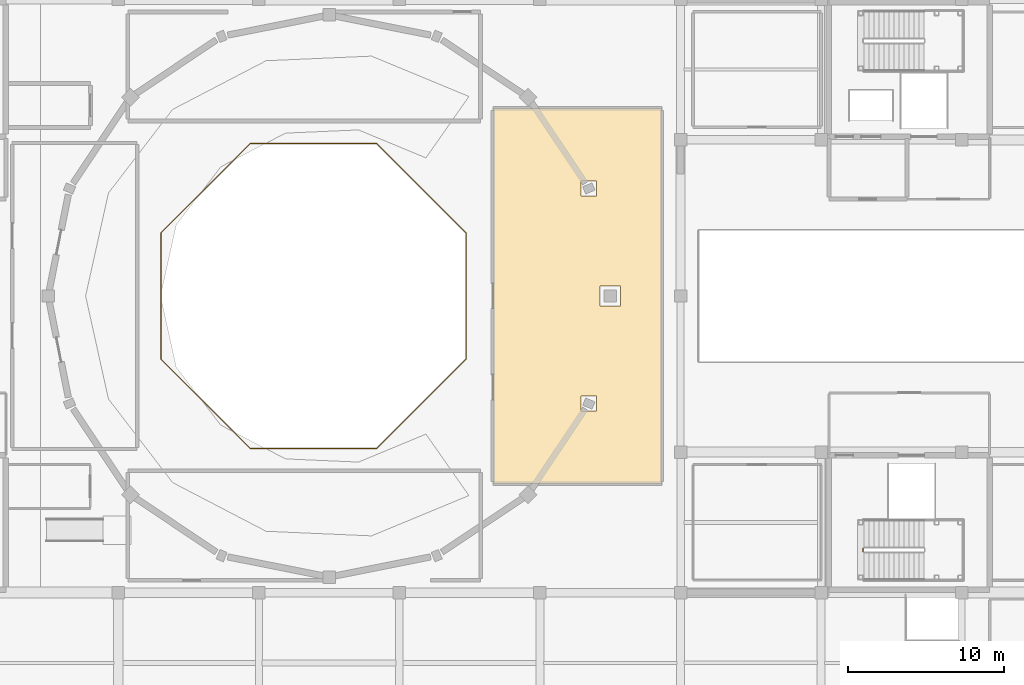
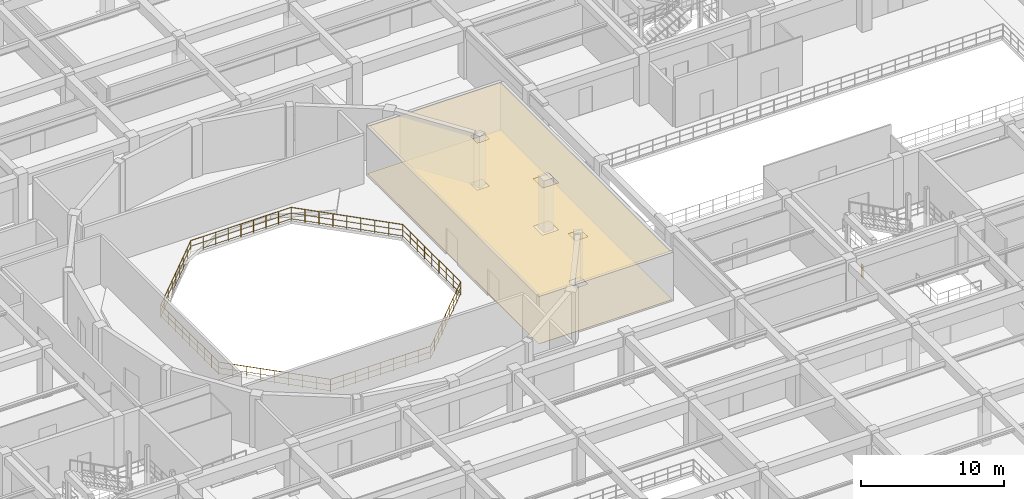
# One storey, part 125 of 133: 2 coverings, 2 railings.
"""IFC4 building model written with IfcOpenShell, lengths in metres."""

from ifc_helpers import new_model, si_unit, direction, frame, origin, origin_2d, place, context, subcontext, project, spatial, polyline, circle, outline, extrude, material, layer, layer_set, type_object, element, save


model = new_model("IFC4")

# Units and contexts
model_context = context("Model", 3, precision=1e-05, world=origin(), true_north=direction((0.0, 1.0)))
body_context = subcontext(model_context, "Body", "Model", "MODEL_VIEW")
ifc_project = project(units=[si_unit("LENGTHUNIT", "METRE"), si_unit("AREAUNIT", "SQUARE_METRE"), si_unit("VOLUMEUNIT", "CUBIC_METRE"), si_unit("PLANEANGLEUNIT", "RADIAN"), si_unit("MASSUNIT", "GRAM", prefix="KILO")], contexts=[model_context])

# Site, building, storey
site_placement = place(None, origin())
site = spatial("IfcSite", under=ifc_project, at=site_placement, CompositionType="ELEMENT")
building_placement = place(site_placement, origin())
building = spatial("IfcBuilding", under=site, at=building_placement, Name="Miravela Opera House", CompositionType="ELEMENT")
storey_placement = place(building_placement, frame((0.0, 0.0, 5.10009765625)))
storey = spatial("IfcBuildingStorey", under=building, at=storey_placement, Name="L01", CompositionType="ELEMENT", Elevation=5.10009765625)

# Coverings
ifc_material_1 = material(Name="Suspended acoustic gypsum board ceiling")
ifc_layer_1 = layer(ifc_material_1, 0.02392578125)
ifc_layer_set_1 = layer_set([ifc_layer_1])
covering_type_1 = type_object("IfcCoveringType", Name="ARC-CEIL-GYPSUM-24", PredefinedType="CEILING", material=ifc_layer_set_1)
covering_1_placement = place(storey_placement, frame((0.0, 0.0, 4.039794921875)))
element("IfcCovering", 1, at=covering_1_placement, inside=storey, type_object=covering_type_1, Name="Opera Auditorium Box Tier Acoustic Ceiling", PredefinedType="CEILING", context=body_context, shape_type="SweptSolid", body=[
    extrude(outline(polyline([(87.0, 44.0), (97.800048828125, 44.0), (97.800048828125, 68.0), (87.0, 68.0), (87.0, 44.0)]), holes=[polyline([(93.854248046875, 55.354248046875), (95.145751953125, 55.354248046875), (95.145751953125, 56.645751953125), (93.854248046875, 56.645751953125), (93.854248046875, 55.354248046875)]), polyline([(92.639892578125, 62.398193359375), (93.619873046875, 62.398193359375), (93.619873046875, 63.37841796875), (92.639892578125, 63.37841796875), (92.639892578125, 62.398193359375)]), polyline([(92.639892578125, 48.62158203125), (93.619873046875, 48.62158203125), (93.619873046875, 49.601806640625), (92.639892578125, 49.601806640625), (92.639892578125, 48.62158203125)])]), origin(), (0.0, 0.0, 1.0), 0.024169921875),
])
ifc_material_2 = material(Name="Honed Guatemalan limestone foyer flooring", Category="masonry")
ifc_layer_2 = layer(ifc_material_2, 0.02587890625)
ifc_layer_set_2 = layer_set([ifc_layer_2])
covering_type_2 = type_object("IfcCoveringType", Name="ARC-FLR-TRAVERTINE-26", PredefinedType="FLOORING", material=ifc_layer_set_2)
covering_2_placement = place(storey_placement, origin())
element("IfcCovering", 2, at=covering_2_placement, inside=storey, type_object=covering_type_2, Name="Opera Auditorium Box Tier Finish Flooring", PredefinedType="FLOORING", context=body_context, shape_type="SweptSolid", body=[
    extrude(outline(polyline([(87.0, 44.0), (97.800048828125, 44.0), (97.800048828125, 68.0), (87.0, 68.0), (87.0, 44.0)]), holes=[polyline([(93.854248046875, 55.354248046875), (95.145751953125, 55.354248046875), (95.145751953125, 56.645751953125), (93.854248046875, 56.645751953125), (93.854248046875, 55.354248046875)]), polyline([(92.639892578125, 62.398193359375), (93.619873046875, 62.398193359375), (93.619873046875, 63.37841796875), (92.639892578125, 63.37841796875), (92.639892578125, 62.398193359375)]), polyline([(92.639892578125, 48.62158203125), (93.619873046875, 48.62158203125), (93.619873046875, 49.601806640625), (92.639892578125, 49.601806640625), (92.639892578125, 48.62158203125)])]), origin(), (0.0, 0.0, 1.0), 0.02587890625),
])

# Railings
ifc_material_3 = material(Name="Gilded bronze auditorium tier balustrade")
railing_type_1 = type_object("IfcRailingType", Name="ARC-RAIL-BOWL-BAL", PredefinedType="BALUSTRADE", material=ifc_material_3)
railing_1_placement = place(storey_placement, frame((85.274658203125, 60.048828125, 0.0)))
element("IfcRailing", 3, at=railing_1_placement, inside=storey, type_object=railing_type_1, Name="L01 Void Perimeter Balustrade 0154", PredefinedType="BALUSTRADE", context=body_context, shape_type="SweptSolid", body=[
    extrude(circle(Radius=0.02490234375, at=origin_2d()), frame((0.0, 0.0, 1.09521484375), z_axis=(-0.707106781187, 0.707106781187, 0.0), x_axis=(-0.707106781187, -0.707106781187, 0.0)), (0.0, 0.0, 1.0), 8.09765625),
    extrude(circle(Radius=0.01611328125, at=origin_2d()), frame((0.0, 0.0, 0.615966796875), z_axis=(-0.707106781187, 0.707106781187, 0.0), x_axis=(-0.707106781187, -0.707106781187, 0.0)), (0.0, 0.0, 1.0), 8.09765625),
    extrude(circle(Radius=0.01611328125, at=origin_2d()), frame((0.0, 0.0, 0.1201171875), z_axis=(-0.707106781187, 0.707106781187, 0.0), x_axis=(-0.707106781187, -0.707106781187, 0.0)), (0.0, 0.0, 1.0), 8.09765625),
    extrude(circle(Radius=0.02490234375, at=origin_2d()), frame((-5.725830078125, 5.725830078125, 1.09521484375), z_axis=(-1.0, 0.0, 0.0), x_axis=(0.0, -1.0, 0.0)), (0.0, 0.0, 1.0), 8.09765625),
    extrude(circle(Radius=0.01611328125, at=origin_2d()), frame((-5.725830078125, 5.725830078125, 0.615966796875), z_axis=(-1.0, 0.0, 0.0), x_axis=(0.0, -1.0, 0.0)), (0.0, 0.0, 1.0), 8.09765625),
    extrude(circle(Radius=0.01611328125, at=origin_2d()), frame((-5.725830078125, 5.725830078125, 0.1201171875), z_axis=(-1.0, 0.0, 0.0), x_axis=(0.0, -1.0, 0.0)), (0.0, 0.0, 1.0), 8.09765625),
    extrude(circle(Radius=0.02490234375, at=origin_2d()), frame((-13.823486328125, 5.725830078125, 1.09521484375), z_axis=(-0.707106781187, -0.707106781187, 0.0), x_axis=(0.707106781187, -0.707106781187, 0.0)), (0.0, 0.0, 1.0), 8.09765625),
    extrude(circle(Radius=0.01611328125, at=origin_2d()), frame((-13.823486328125, 5.725830078125, 0.615966796875), z_axis=(-0.707106781187, -0.707106781187, 0.0), x_axis=(0.707106781187, -0.707106781187, 0.0)), (0.0, 0.0, 1.0), 8.09765625),
    extrude(circle(Radius=0.01611328125, at=origin_2d()), frame((-13.823486328125, 5.725830078125, 0.1201171875), z_axis=(-0.707106781187, -0.707106781187, 0.0), x_axis=(0.707106781187, -0.707106781187, 0.0)), (0.0, 0.0, 1.0), 8.09765625),
    extrude(circle(Radius=0.02490234375, at=origin_2d()), frame((-19.54931640625, 0.0, 1.09521484375), z_axis=(0.0, -1.0, 0.0), x_axis=(1.0, 0.0, 0.0)), (0.0, 0.0, 1.0), 8.09765625),
    extrude(circle(Radius=0.01611328125, at=origin_2d()), frame((-19.54931640625, 0.0, 0.615966796875), z_axis=(0.0, -1.0, 0.0), x_axis=(1.0, 0.0, 0.0)), (0.0, 0.0, 1.0), 8.09765625),
    extrude(circle(Radius=0.01611328125, at=origin_2d()), frame((-19.54931640625, 0.0, 0.1201171875), z_axis=(0.0, -1.0, 0.0), x_axis=(1.0, 0.0, 0.0)), (0.0, 0.0, 1.0), 8.09765625),
    extrude(circle(Radius=0.02490234375, at=origin_2d()), frame((-19.54931640625, -8.09765625, 1.09521484375), z_axis=(0.707106781187, -0.707106781187, 0.0), x_axis=(0.707106781187, 0.707106781187, 0.0)), (0.0, 0.0, 1.0), 8.09765625),
    extrude(circle(Radius=0.01611328125, at=origin_2d()), frame((-19.54931640625, -8.09765625, 0.615966796875), z_axis=(0.707106781187, -0.707106781187, 0.0), x_axis=(0.707106781187, 0.707106781187, 0.0)), (0.0, 0.0, 1.0), 8.09765625),
    extrude(circle(Radius=0.01611328125, at=origin_2d()), frame((-19.54931640625, -8.09765625, 0.1201171875), z_axis=(0.707106781187, -0.707106781187, 0.0), x_axis=(0.707106781187, 0.707106781187, 0.0)), (0.0, 0.0, 1.0), 8.09765625),
    extrude(circle(Radius=0.02490234375, at=origin_2d()), frame((-13.823486328125, -13.823486328125, 1.09521484375), z_axis=(1.0, 0.0, 0.0), x_axis=(0.0, 1.0, 0.0)), (0.0, 0.0, 1.0), 8.09765625),
    extrude(circle(Radius=0.01611328125, at=origin_2d()), frame((-13.823486328125, -13.823486328125, 0.615966796875), z_axis=(1.0, 0.0, 0.0), x_axis=(0.0, 1.0, 0.0)), (0.0, 0.0, 1.0), 8.09765625),
    extrude(circle(Radius=0.01611328125, at=origin_2d()), frame((-13.823486328125, -13.823486328125, 0.1201171875), z_axis=(1.0, 0.0, 0.0), x_axis=(0.0, 1.0, 0.0)), (0.0, 0.0, 1.0), 8.09765625),
    extrude(circle(Radius=0.02490234375, at=origin_2d()), frame((-5.725830078125, -13.823486328125, 1.09521484375), z_axis=(0.707106781187, 0.707106781187, 0.0), x_axis=(-0.707106781187, 0.707106781187, 0.0)), (0.0, 0.0, 1.0), 8.09765625),
    extrude(circle(Radius=0.01611328125, at=origin_2d()), frame((-5.725830078125, -13.823486328125, 0.615966796875), z_axis=(0.707106781187, 0.707106781187, 0.0), x_axis=(-0.707106781187, 0.707106781187, 0.0)), (0.0, 0.0, 1.0), 8.09765625),
    extrude(circle(Radius=0.01611328125, at=origin_2d()), frame((-5.725830078125, -13.823486328125, 0.1201171875), z_axis=(0.707106781187, 0.707106781187, 0.0), x_axis=(-0.707106781187, 0.707106781187, 0.0)), (0.0, 0.0, 1.0), 8.09765625),
    extrude(circle(Radius=0.02490234375, at=origin_2d()), frame((0.0, -8.09765625, 1.09521484375), z_axis=(0.0, 1.0, 0.0), x_axis=(-1.0, 0.0, 0.0)), (0.0, 0.0, 1.0), 8.09765625),
    extrude(circle(Radius=0.01611328125, at=origin_2d()), frame((0.0, -8.09765625, 0.615966796875), z_axis=(0.0, 1.0, 0.0), x_axis=(-1.0, 0.0, 0.0)), (0.0, 0.0, 1.0), 8.09765625),
    extrude(circle(Radius=0.01611328125, at=origin_2d()), frame((0.0, -8.09765625, 0.1201171875), z_axis=(0.0, 1.0, 0.0), x_axis=(-1.0, 0.0, 0.0)), (0.0, 0.0, 1.0), 8.09765625),
    extrude(circle(Radius=0.02099609375, at=origin_2d()), origin(), (0.0, 0.0, 1.0), 1.070068359375),
    extrude(circle(Radius=0.02099609375, at=origin_2d()), frame((-0.7158203125, 0.7158203125, 0.0)), (0.0, 0.0, 1.0), 1.070068359375),
    extrude(circle(Radius=0.02099609375, at=origin_2d()), frame((-1.431396484375, 1.431396484375, 0.0)), (0.0, 0.0, 1.0), 1.070068359375),
    extrude(circle(Radius=0.02099609375, at=origin_2d()), frame((-2.147216796875, 2.147216796875, 0.0)), (0.0, 0.0, 1.0), 1.070068359375),
    extrude(circle(Radius=0.02099609375, at=origin_2d()), frame((-2.86279296875, 2.86279296875, 0.0)), (0.0, 0.0, 1.0), 1.070068359375),
    extrude(circle(Radius=0.02099609375, at=origin_2d()), frame((-3.57861328125, 3.57861328125, 0.0)), (0.0, 0.0, 1.0), 1.070068359375),
    extrude(circle(Radius=0.02099609375, at=origin_2d()), frame((-4.29443359375, 4.29443359375, 0.0)), (0.0, 0.0, 1.0), 1.070068359375),
    extrude(circle(Radius=0.02099609375, at=origin_2d()), frame((-5.010009765625, 5.010009765625, 0.0)), (0.0, 0.0, 1.0), 1.070068359375),
    extrude(circle(Radius=0.02099609375, at=origin_2d()), frame((-5.725830078125, 5.725830078125, 0.0)), (0.0, 0.0, 1.0), 1.070068359375),
    extrude(circle(Radius=0.02099609375, at=origin_2d()), frame((-6.738037109375, 5.725830078125, 0.0)), (0.0, 0.0, 1.0), 1.070068359375),
    extrude(circle(Radius=0.02099609375, at=origin_2d()), frame((-7.750244140625, 5.725830078125, 0.0)), (0.0, 0.0, 1.0), 1.070068359375),
    extrude(circle(Radius=0.02099609375, at=origin_2d()), frame((-8.762451171875, 5.725830078125, 0.0)), (0.0, 0.0, 1.0), 1.070068359375),
    extrude(circle(Radius=0.02099609375, at=origin_2d()), frame((-9.774658203125, 5.725830078125, 0.0)), (0.0, 0.0, 1.0), 1.070068359375),
    extrude(circle(Radius=0.02099609375, at=origin_2d()), frame((-10.786865234375, 5.725830078125, 0.0)), (0.0, 0.0, 1.0), 1.070068359375),
    extrude(circle(Radius=0.02099609375, at=origin_2d()), frame((-11.799072265625, 5.725830078125, 0.0)), (0.0, 0.0, 1.0), 1.070068359375),
    extrude(circle(Radius=0.02099609375, at=origin_2d()), frame((-12.811279296875, 5.725830078125, 0.0)), (0.0, 0.0, 1.0), 1.070068359375),
    extrude(circle(Radius=0.02099609375, at=origin_2d()), frame((-13.823486328125, 5.725830078125, 0.0)), (0.0, 0.0, 1.0), 1.070068359375),
    extrude(circle(Radius=0.02099609375, at=origin_2d()), frame((-14.539306640625, 5.010009765625, 0.0)), (0.0, 0.0, 1.0), 1.070068359375),
    extrude(circle(Radius=0.02099609375, at=origin_2d()), frame((-15.2548828125, 4.29443359375, 0.0)), (0.0, 0.0, 1.0), 1.070068359375),
    extrude(circle(Radius=0.02099609375, at=origin_2d()), frame((-15.970703125, 3.57861328125, 0.0)), (0.0, 0.0, 1.0), 1.070068359375),
    extrude(circle(Radius=0.02099609375, at=origin_2d()), frame((-16.6865234375, 2.86279296875, 0.0)), (0.0, 0.0, 1.0), 1.070068359375),
    extrude(circle(Radius=0.02099609375, at=origin_2d()), frame((-17.402099609375, 2.147216796875, 0.0)), (0.0, 0.0, 1.0), 1.070068359375),
    extrude(circle(Radius=0.02099609375, at=origin_2d()), frame((-18.117919921875, 1.431396484375, 0.0)), (0.0, 0.0, 1.0), 1.070068359375),
    extrude(circle(Radius=0.02099609375, at=origin_2d()), frame((-18.83349609375, 0.7158203125, 0.0)), (0.0, 0.0, 1.0), 1.070068359375),
    extrude(circle(Radius=0.02099609375, at=origin_2d()), frame((-19.54931640625, 0.0, 0.0)), (0.0, 0.0, 1.0), 1.070068359375),
    extrude(circle(Radius=0.02099609375, at=origin_2d()), frame((-19.54931640625, -1.01220703125, 0.0)), (0.0, 0.0, 1.0), 1.070068359375),
    extrude(circle(Radius=0.02099609375, at=origin_2d()), frame((-19.54931640625, -2.0244140625, 0.0)), (0.0, 0.0, 1.0), 1.070068359375),
    extrude(circle(Radius=0.02099609375, at=origin_2d()), frame((-19.54931640625, -3.03662109375, 0.0)), (0.0, 0.0, 1.0), 1.070068359375),
    extrude(circle(Radius=0.02099609375, at=origin_2d()), frame((-19.54931640625, -4.048828125, 0.0)), (0.0, 0.0, 1.0), 1.070068359375),
    extrude(circle(Radius=0.02099609375, at=origin_2d()), frame((-19.54931640625, -5.06103515625, 0.0)), (0.0, 0.0, 1.0), 1.070068359375),
    extrude(circle(Radius=0.02099609375, at=origin_2d()), frame((-19.54931640625, -6.0732421875, 0.0)), (0.0, 0.0, 1.0), 1.070068359375),
    extrude(circle(Radius=0.02099609375, at=origin_2d()), frame((-19.54931640625, -7.08544921875, 0.0)), (0.0, 0.0, 1.0), 1.070068359375),
    extrude(circle(Radius=0.02099609375, at=origin_2d()), frame((-19.54931640625, -8.09765625, 0.0)), (0.0, 0.0, 1.0), 1.070068359375),
    extrude(circle(Radius=0.02099609375, at=origin_2d()), frame((-18.83349609375, -8.8134765625, 0.0)), (0.0, 0.0, 1.0), 1.070068359375),
    extrude(circle(Radius=0.02099609375, at=origin_2d()), frame((-18.117919921875, -9.529052734375, 0.0)), (0.0, 0.0, 1.0), 1.070068359375),
    extrude(circle(Radius=0.02099609375, at=origin_2d()), frame((-17.402099609375, -10.244873046875, 0.0)), (0.0, 0.0, 1.0), 1.070068359375),
    extrude(circle(Radius=0.02099609375, at=origin_2d()), frame((-16.6865234375, -10.96044921875, 0.0)), (0.0, 0.0, 1.0), 1.070068359375),
    extrude(circle(Radius=0.02099609375, at=origin_2d()), frame((-15.970703125, -11.67626953125, 0.0)), (0.0, 0.0, 1.0), 1.070068359375),
    extrude(circle(Radius=0.02099609375, at=origin_2d()), frame((-15.2548828125, -12.39208984375, 0.0)), (0.0, 0.0, 1.0), 1.070068359375),
    extrude(circle(Radius=0.02099609375, at=origin_2d()), frame((-14.539306640625, -13.107666015625, 0.0)), (0.0, 0.0, 1.0), 1.070068359375),
    extrude(circle(Radius=0.02099609375, at=origin_2d()), frame((-13.823486328125, -13.823486328125, 0.0)), (0.0, 0.0, 1.0), 1.070068359375),
    extrude(circle(Radius=0.02099609375, at=origin_2d()), frame((-12.811279296875, -13.823486328125, 0.0)), (0.0, 0.0, 1.0), 1.070068359375),
    extrude(circle(Radius=0.02099609375, at=origin_2d()), frame((-11.799072265625, -13.823486328125, 0.0)), (0.0, 0.0, 1.0), 1.070068359375),
    extrude(circle(Radius=0.02099609375, at=origin_2d()), frame((-10.786865234375, -13.823486328125, 0.0)), (0.0, 0.0, 1.0), 1.070068359375),
    extrude(circle(Radius=0.02099609375, at=origin_2d()), frame((-9.774658203125, -13.823486328125, 0.0)), (0.0, 0.0, 1.0), 1.070068359375),
    extrude(circle(Radius=0.02099609375, at=origin_2d()), frame((-8.762451171875, -13.823486328125, 0.0)), (0.0, 0.0, 1.0), 1.070068359375),
    extrude(circle(Radius=0.02099609375, at=origin_2d()), frame((-7.750244140625, -13.823486328125, 0.0)), (0.0, 0.0, 1.0), 1.070068359375),
    extrude(circle(Radius=0.02099609375, at=origin_2d()), frame((-6.738037109375, -13.823486328125, 0.0)), (0.0, 0.0, 1.0), 1.070068359375),
    extrude(circle(Radius=0.02099609375, at=origin_2d()), frame((-5.725830078125, -13.823486328125, 0.0)), (0.0, 0.0, 1.0), 1.070068359375),
    extrude(circle(Radius=0.02099609375, at=origin_2d()), frame((-5.010009765625, -13.107666015625, 0.0)), (0.0, 0.0, 1.0), 1.070068359375),
    extrude(circle(Radius=0.02099609375, at=origin_2d()), frame((-4.29443359375, -12.39208984375, 0.0)), (0.0, 0.0, 1.0), 1.070068359375),
    extrude(circle(Radius=0.02099609375, at=origin_2d()), frame((-3.57861328125, -11.67626953125, 0.0)), (0.0, 0.0, 1.0), 1.070068359375),
    extrude(circle(Radius=0.02099609375, at=origin_2d()), frame((-2.86279296875, -10.96044921875, 0.0)), (0.0, 0.0, 1.0), 1.070068359375),
    extrude(circle(Radius=0.02099609375, at=origin_2d()), frame((-2.147216796875, -10.244873046875, 0.0)), (0.0, 0.0, 1.0), 1.070068359375),
    extrude(circle(Radius=0.02099609375, at=origin_2d()), frame((-1.431396484375, -9.529052734375, 0.0)), (0.0, 0.0, 1.0), 1.070068359375),
    extrude(circle(Radius=0.02099609375, at=origin_2d()), frame((-0.7158203125, -8.8134765625, 0.0)), (0.0, 0.0, 1.0), 1.070068359375),
    extrude(circle(Radius=0.02099609375, at=origin_2d()), frame((0.0, -8.09765625, 0.0)), (0.0, 0.0, 1.0), 1.070068359375),
    extrude(circle(Radius=0.02099609375, at=origin_2d()), frame((0.0, -7.08544921875, 0.0)), (0.0, 0.0, 1.0), 1.070068359375),
    extrude(circle(Radius=0.02099609375, at=origin_2d()), frame((0.0, -6.0732421875, 0.0)), (0.0, 0.0, 1.0), 1.070068359375),
    extrude(circle(Radius=0.02099609375, at=origin_2d()), frame((0.0, -5.06103515625, 0.0)), (0.0, 0.0, 1.0), 1.070068359375),
    extrude(circle(Radius=0.02099609375, at=origin_2d()), frame((0.0, -4.048828125, 0.0)), (0.0, 0.0, 1.0), 1.070068359375),
    extrude(circle(Radius=0.02099609375, at=origin_2d()), frame((0.0, -3.03662109375, 0.0)), (0.0, 0.0, 1.0), 1.070068359375),
    extrude(circle(Radius=0.02099609375, at=origin_2d()), frame((0.0, -2.0244140625, 0.0)), (0.0, 0.0, 1.0), 1.070068359375),
    extrude(circle(Radius=0.02099609375, at=origin_2d()), frame((0.0, -1.01220703125, 0.0)), (0.0, 0.0, 1.0), 1.070068359375),
])
ifc_material_4 = material(Name="Painted wrought-iron stair guardrail")
railing_type_2 = type_object("IfcRailingType", Name="ARC-RAIL-STAIR-GUARD", PredefinedType="GUARDRAIL", material=ifc_material_4)
railing_2_placement = place(storey_placement, frame((110.68994140625, 39.639892578125, 0.0)))
element("IfcRailing", 4, at=railing_2_placement, inside=storey, type_object=railing_type_2, Name="L01 ST-04 stair guard 4", PredefinedType="GUARDRAIL", context=body_context, shape_type="SweptSolid", body=[
    extrude(circle(Radius=0.02392578125, at=origin_2d()), frame((0.0, 0.0, 1.076171875), z_axis=(0.0, 1.0, 0.0), x_axis=(-1.0, 0.0, 0.0)), (0.0, 0.0, 1.0), 0.2001953125),
    extrude(circle(Radius=0.01611328125, at=origin_2d()), frame((0.0, 0.0, 0.60498046875), z_axis=(0.0, 1.0, 0.0), x_axis=(-1.0, 0.0, 0.0)), (0.0, 0.0, 1.0), 0.2001953125),
    extrude(circle(Radius=0.01611328125, at=origin_2d()), frame((0.0, 0.0, 0.1201171875), z_axis=(0.0, 1.0, 0.0), x_axis=(-1.0, 0.0, 0.0)), (0.0, 0.0, 1.0), 0.2001953125),
    extrude(circle(Radius=0.02099609375, at=origin_2d()), origin(), (0.0, 0.0, 1.0), 1.052001953125),
    extrude(circle(Radius=0.02099609375, at=origin_2d()), frame((0.0, 0.2001953125, 0.0)), (0.0, 0.0, 1.0), 1.052001953125),
])

save(model, "model.ifc")
